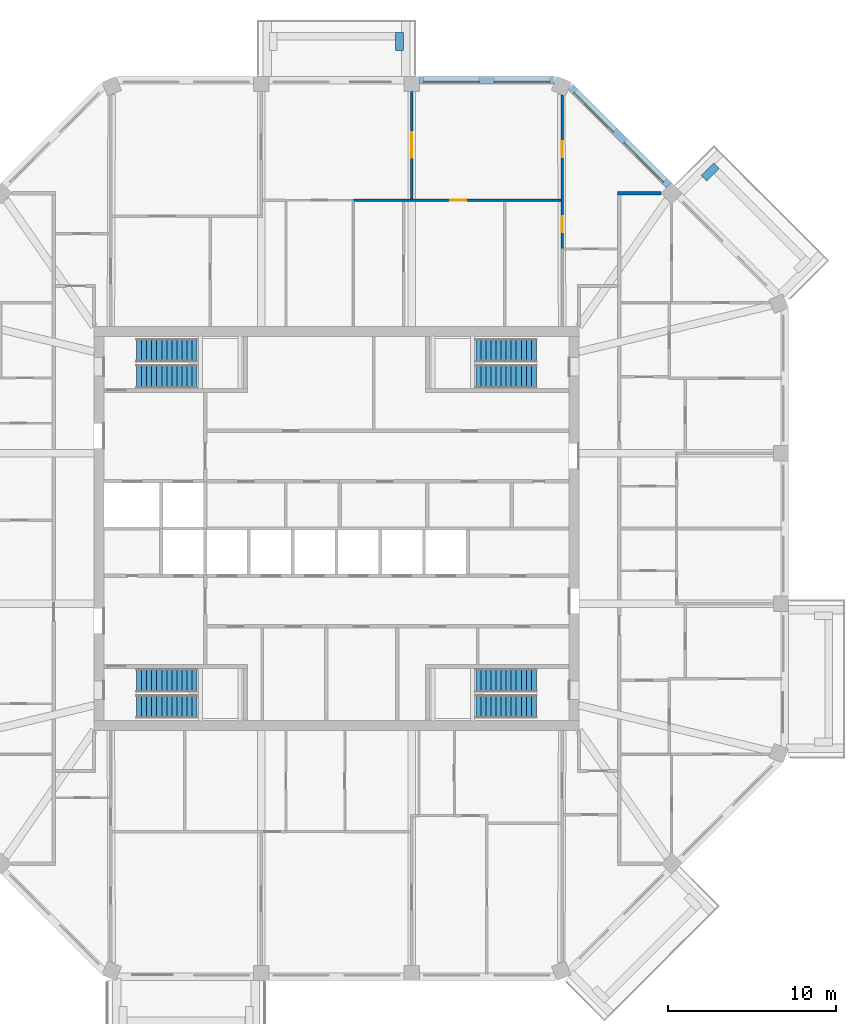
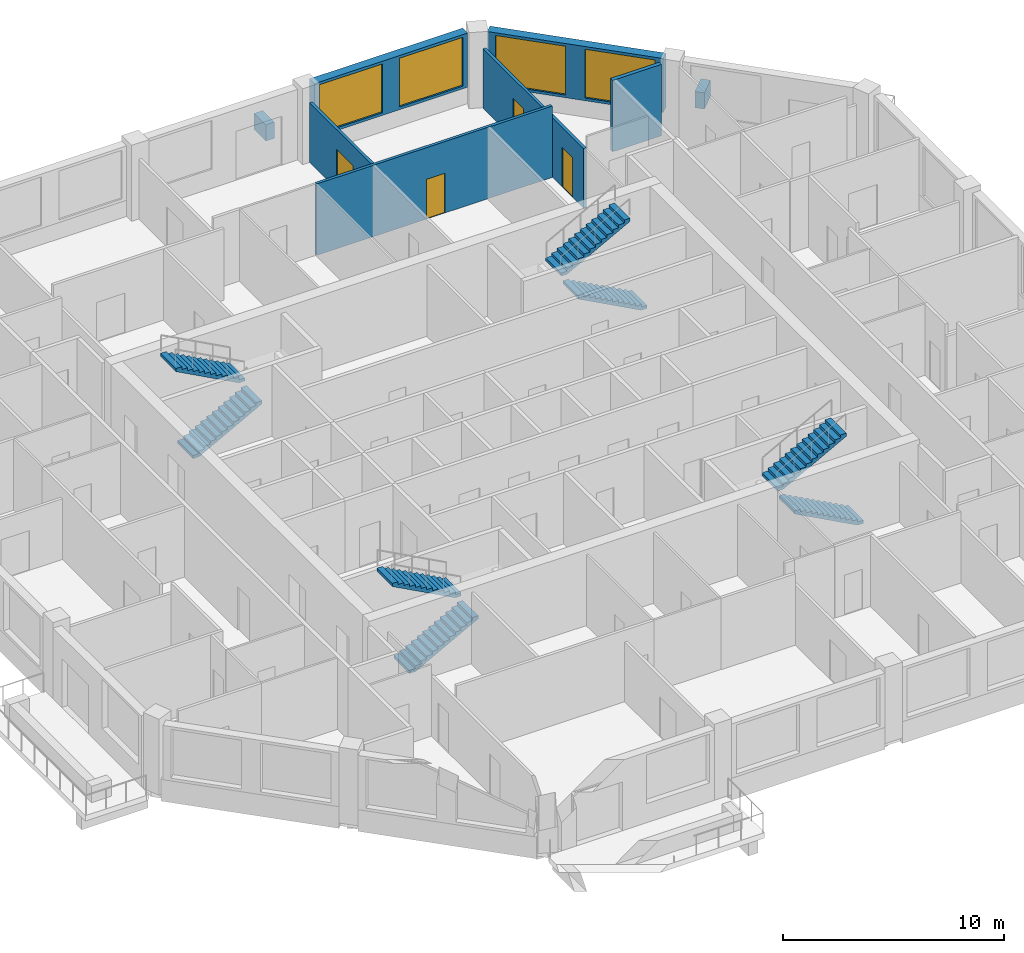
# One storey, part 10 of 11: 8 stair flights, 8 walls, 4 doors, 4 windows, 8 openings, 4 elements without a shape of their own.
"""IFC4 building model written with IfcOpenShell, lengths in metres."""

import ifcopenshell
import ifcopenshell.guid

model = None  # the IFC model being written
_history = None  # IfcOwnerHistory: only IFC2X3 demands one
_inside = {}  # id of a spatial element -> (the spatial element, [elements in it])
_under = {}  # id of a project, library or spatial element -> (it, [spatial elements below it])
_declared = {}  # id of a project -> (the project, [libraries it declares])
_typed = {}  # id of a type object -> (the type object, [elements of that type])
_made_of = {}  # id of a material, layer set ... -> (it, [elements and type objects made of it])


def new_model(schema):
    """Start an empty IFC model of exactly this schema.

    Asked for "IFC4X3", IfcOpenShell would pick the latest addendum, in which some entities
    have other attributes; the version numbers below select the first issue.
    IFC2X3 requires an IfcOwnerHistory on every rooted entity: one is made here for all.
    """
    global model, _history
    if schema == "IFC4X3":
        model = ifcopenshell.file(schema_version=(4, 3, 0, 0))
    else:
        model = ifcopenshell.file(schema=schema)
    _inside.clear()
    _under.clear()
    _declared.clear()
    _typed.clear()
    _made_of.clear()
    _history = None
    if model.schema == "IFC2X3":
        org = make("IfcOrganization", Name="unknown")
        user = make(
            "IfcPersonAndOrganization",
            ThePerson=make("IfcPerson", FamilyName="unknown"),
            TheOrganization=org,
        )
        app = make(
            "IfcApplication",
            ApplicationDeveloper=org,
            Version="unknown",
            ApplicationFullName="unknown",
            ApplicationIdentifier="unknown",
        )
        _history = make(
            "IfcOwnerHistory",
            OwningUser=user,
            OwningApplication=app,
            ChangeAction="ADDED",
            CreationDate=0,
        )
    return model


def make(cls, **values):
    """One entity of the class cls with the attributes given. An attribute that is None is left unset."""
    return model.create_entity(
        cls, **{name: value for name, value in values.items() if value is not None}
    )


def rooted(cls, **values):
    """An entity with a GlobalId (a new one), such as an element, a storey or a relation."""
    return make(cls, GlobalId=ifcopenshell.guid.new(), OwnerHistory=_history, **values)


def si_unit(unit_type, name, prefix=None):
    """IfcSIUnit, for example si_unit("LENGTHUNIT", "METRE", prefix="MILLI")."""
    return make("IfcSIUnit", UnitType=unit_type, Prefix=prefix, Name=name)


def assignment(units):
    """IfcUnitAssignment: the units of a project."""
    return None if units is None else make("IfcUnitAssignment", Units=units)


def point(xyz):
    """IfcCartesianPoint."""
    return None if xyz is None else make("IfcCartesianPoint", Coordinates=xyz)


def direction(xyz):
    """IfcDirection."""
    return None if xyz is None else make("IfcDirection", DirectionRatios=xyz)


def frame(location, z_axis=None, x_axis=None):
    """IfcAxis2Placement3D, a coordinate frame: its origin and axes. An axis left out is left unset."""
    return make(
        "IfcAxis2Placement3D",
        Location=point(location),
        Axis=direction(z_axis),
        RefDirection=direction(x_axis),
    )


def frame_2d(location, x_axis=None):
    """IfcAxis2Placement2D, a coordinate frame in the plane: its origin and x axis."""
    return make(
        "IfcAxis2Placement2D", Location=point(location), RefDirection=direction(x_axis)
    )


def origin():
    """The frame at (0, 0, 0) with its axes left unset."""
    return frame((0.0, 0.0, 0.0))


def place(relative_to, where):
    """IfcLocalPlacement: puts the frame where relative to a parent placement (None: the world)."""
    return make(
        "IfcLocalPlacement", PlacementRelTo=relative_to, RelativePlacement=where
    )


def context(
    kind, dimensions, precision=None, world=None, true_north=None, identifier=None
):
    """IfcGeometricRepresentationContext, for example the 3D "Model" context."""
    return make(
        "IfcGeometricRepresentationContext",
        ContextIdentifier=identifier,
        ContextType=kind,
        CoordinateSpaceDimension=dimensions,
        Precision=precision,
        WorldCoordinateSystem=world,
        TrueNorth=true_north,
    )


def subcontext(parent, identifier, kind, view, scale=None):
    """IfcGeometricRepresentationSubContext, for example "Body" below "Model"."""
    return make(
        "IfcGeometricRepresentationSubContext",
        ContextIdentifier=identifier,
        ContextType=kind,
        ParentContext=parent,
        TargetScale=scale,
        TargetView=view,
    )


def project(units=None, contexts=None):
    """IfcProject with its units and contexts."""
    return rooted(
        "IfcProject",
        Name="project",
        RepresentationContexts=contexts,
        UnitsInContext=assignment(units),
    )


def spatial(cls, under=None, at=None, **own):
    """A site, building, storey or space (cls), placed at a placement, below another one or the project."""
    s = rooted(cls, ObjectPlacement=at, **own)
    if under is not None:
        _under.setdefault(under.id(), (under, []))[1].append(s)
    return s


def polyline(points):
    """IfcPolyline through the points."""
    return make("IfcPolyline", Points=[point(p) for p in points])


def profile(cls, at=None, kind="AREA", **sizes):
    """A parametric profile (cls). Its sizes go by their IFC names, for example OverallWidth=200.0."""
    return make(cls, ProfileType=kind, Position=at, **sizes)


def rectangle(**sizes):
    """IfcRectangleProfileDef."""
    return profile("IfcRectangleProfileDef", **sizes)


def outline(outer, holes=None, kind="AREA"):
    """IfcArbitraryClosedProfileDef: a profile drawn as a closed curve; with holes, ...WithVoids."""
    if holes is None:
        return make("IfcArbitraryClosedProfileDef", ProfileType=kind, OuterCurve=outer)
    return make(
        "IfcArbitraryProfileDefWithVoids",
        ProfileType=kind,
        OuterCurve=outer,
        InnerCurves=holes,
    )


def extrude(swept, where, along, depth):
    """IfcExtrudedAreaSolid: the profile swept, set in the frame where, extruded along a direction by depth."""
    return make(
        "IfcExtrudedAreaSolid",
        SweptArea=swept,
        Position=where,
        ExtrudedDirection=direction(along),
        Depth=depth,
    )


def shape(context_of_items, identifier, shape_type, items):
    """IfcShapeRepresentation: the items that make up one representation, for example the "Body"."""
    return make(
        "IfcShapeRepresentation",
        ContextOfItems=context_of_items,
        RepresentationIdentifier=identifier,
        RepresentationType=shape_type,
        Items=items,
    )


def material(Name=None, Category=None):
    """IfcMaterial."""
    return make("IfcMaterial", Name=Name, Category=Category)


def layer(
    of_material, thickness, ventilated=None, Name=None, Category=None, Priority=None
):
    """IfcMaterialLayer: one layer of a wall or slab, of a material (None: an air gap)."""
    return make(
        "IfcMaterialLayer",
        Material=of_material,
        LayerThickness=thickness,
        IsVentilated=ventilated,
        Name=Name,
        Category=Category,
        Priority=Priority,
    )


def layer_set(layers, Name=None):
    """IfcMaterialLayerSet."""
    return make("IfcMaterialLayerSet", MaterialLayers=layers, LayerSetName=Name)


def made_of(thing, what):
    """Note that an element or type object is made of a material, layer set ...; save() writes the relation."""
    if what is not None:
        _made_of.setdefault(what.id(), (what, []))[1].append(thing)
    return thing


def type_object(cls, material=None, **own):
    """A type object (cls), such as IfcWallType, which elements share."""
    return made_of(rooted(cls, **own), material)


def element(
    cls,
    number,
    at=None,
    inside=None,
    cuts=None,
    type_object=None,
    material=None,
    context=None,
    identifier="Body",
    shape_type=None,
    held_by="IfcProductDefinitionShape",
    body=None,
    shapes=None,
    **own,
):
    """One element of the class cls, such as IfcWall. Its Tag is "e" and its number.

    at: its placement. inside: the storey or other place that contains it. cuts: it is an
    opening in that element (IfcRelVoidsElement). A single representation is given by context,
    identifier, shape_type and body (its items); several are given by shapes. held_by: the class
    of the entity that holds the representations. save() writes the other relations.
    """
    e = rooted(cls, Tag="e%d" % number, ObjectPlacement=at, **own)
    if body is not None:
        shapes = [shape(context, identifier, shape_type, body)]
    if shapes is not None:
        e.Representation = make(held_by, Representations=shapes)
    if inside is not None:
        _inside.setdefault(inside.id(), (inside, []))[1].append(e)
    if cuts is not None:
        rooted(
            "IfcRelVoidsElement", RelatingBuildingElement=cuts, RelatedOpeningElement=e
        )
    if type_object is not None:
        _typed.setdefault(type_object.id(), (type_object, []))[1].append(e)
    return made_of(e, material)


def fill(opening, filler):
    """IfcRelFillsElement: the door or window that sits in an opening."""
    return rooted(
        "IfcRelFillsElement",
        RelatingOpeningElement=opening,
        RelatedBuildingElement=filler,
    )


def aggregate(whole, parts):
    """IfcRelAggregates: a whole, such as a stair, and the parts it consists of."""
    return rooted("IfcRelAggregates", RelatingObject=whole, RelatedObjects=parts)


def save(model, path):
    """Write the relations noted so far, then the file.

    IfcRelAggregates (storeys below a building ...), IfcRelContainedInSpatialStructure (elements
    in a storey), IfcRelDefinesByType, IfcRelAssociatesMaterial and IfcRelDeclares: one each for
    every whole, place, type object, material and project.
    """
    for whole, parts in _under.values():
        aggregate(whole, parts)
    for where, things in _inside.values():
        rooted(
            "IfcRelContainedInSpatialStructure",
            RelatedElements=things,
            RelatingStructure=where,
        )
    for kind, things in _typed.values():
        rooted("IfcRelDefinesByType", RelatedObjects=things, RelatingType=kind)
    for what, things in _made_of.values():
        rooted("IfcRelAssociatesMaterial", RelatedObjects=things, RelatingMaterial=what)
    for by, libraries in _declared.values():
        rooted("IfcRelDeclares", RelatingContext=by, RelatedDefinitions=libraries)
    model.write(path)


model = new_model("IFC4")

# Units and contexts
model_context = context("Model", 3, precision=1e-05, world=origin(), true_north=direction((0.0, 1.0)))
body_context = subcontext(model_context, "Body", "Model", "MODEL_VIEW")
ifc_project = project(units=[si_unit("LENGTHUNIT", "METRE"), si_unit("AREAUNIT", "SQUARE_METRE"), si_unit("VOLUMEUNIT", "CUBIC_METRE"), si_unit("PLANEANGLEUNIT", "RADIAN"), si_unit("MASSUNIT", "GRAM", prefix="KILO")], contexts=[model_context])

# Site, building, storey
site_placement = place(None, origin())
site = spatial("IfcSite", under=ifc_project, at=site_placement, CompositionType="ELEMENT")
building_placement = place(site_placement, origin())
building = spatial("IfcBuilding", under=site, at=building_placement, Name="Msitu Wima Residences", CompositionType="ELEMENT")
storey_placement = place(building_placement, frame((0.0, 0.0, 260.10009765625)))
storey = spatial("IfcBuildingStorey", under=building, at=storey_placement, Name="L60", CompositionType="ELEMENT", Elevation=260.10009765625)

# Walls
ifc_material_1 = material(Name="Facing brick")
ifc_layer_1 = layer(ifc_material_1, 0.06494140625, Name="Facing brick")
ifc_material_2 = material(Name="Concrete C40/50", Category="concrete")
ifc_layer_2 = layer(ifc_material_2, 0.156005859375, Name="Concrete C40/50")
ifc_material_3 = material(Name="Waterproofing membrane")
ifc_layer_3 = layer(ifc_material_3, 0.00390625, Name="Waterproofing membrane")
ifc_material_4 = material(Name="Planting soil and planting")
ifc_layer_4 = layer(ifc_material_4, 0.22509765625, Name="Planting soil and planting")
ifc_layer_set_1 = layer_set([ifc_layer_1, ifc_layer_2, ifc_layer_3, ifc_layer_4], Name="Concrete C40/50")
wall_type_1 = type_object("IfcWallType", Name="Balcony planter PLANTER PL450", PredefinedType="USERDEFINED", material=ifc_layer_set_1)
for number, where, z_axis, x_axis, name in (
    (1, (21.829833984375, 20.804443359375, 0.0), (0.0, 0.0, 1.0), (0.707106781187, 0.707106781187, 0.0), "Balcony planter NE0 L60"),
    (2, (3.74365234375, 28.39990234375, 0.0), (0.0, 0.0, 1.0), (0.0, 1.0, 0.0), "Balcony planter N1 L60"),
):
    element("IfcWall", number, at=place(storey_placement, frame(where, z_axis=z_axis, x_axis=x_axis)), inside=storey, type_object=wall_type_1, Name=name, ObjectType="PLANTER", PredefinedType="USERDEFINED", context=body_context, shape_type="SweptSolid", body=[
        extrude(rectangle(XDim=1.050048828125, YDim=0.449951171875, at=frame_2d((0.52490234375, 0.0))), origin(), (0.0, 0.0, 1.0), 0.89990234375),
    ])

# Wall, openings, windows
ifc_material_5 = material(Name="Brick (red buff mix)", Category="masonry")
ifc_layer_5 = layer(ifc_material_5, 0.449951171875)
ifc_layer_set_2 = layer_set([ifc_layer_5], Name="Brick (red buff mix)")
wall_type_2 = type_object("IfcWallType", Name="Brick infill wall BW450", PredefinedType="SOLIDWALL", material=ifc_layer_set_2)
wall_1_placement = place(storey_placement, frame((19.743896484375, 20.380126953125, 0.89990234375), z_axis=(0.0, 0.0, 1.0), x_axis=(-0.707106781187, 0.707106781187, 0.0)))
wall_1 = element("IfcWall", 3, at=wall_1_placement, inside=storey, type_object=wall_type_2, Name="Brick infill wall L60 NE1", PredefinedType="SOLIDWALL", context=body_context, shape_type="SweptSolid", body=[
    extrude(rectangle(XDim=8.251220703125, YDim=0.449951171875, at=frame_2d((4.12548828125, 0.0))), origin(), (0.0, 0.0, 1.0), 3.0),
])
opening_1_placement = place(wall_1_placement, frame((0.37548828125, 0.0, 0.14990234375)))
opening_1 = element("IfcOpeningElement", 4, at=opening_1_placement, cuts=wall_1, Name="Opening W60-62.012", PredefinedType="OPENING", context=body_context, shape_type="SweptSolid", body=[
    extrude(rectangle(XDim=3.300048828125, YDim=2.699951171875, at=frame_2d((1.64990234375, 1.35009765625))), frame((0.0, 0.23486328125, 0.0), z_axis=(0.0, -1.0, 0.0), x_axis=(1.0, 0.0, 0.0)), (0.0, 0.0, 1.0), 0.469970703125),
])
opening_2_placement = place(wall_1_placement, frame((4.57568359375, 0.0, 0.14990234375)))
opening_2 = element("IfcOpeningElement", 5, at=opening_2_placement, cuts=wall_1, Name="Opening W60-62.013", PredefinedType="OPENING", context=body_context, shape_type="SweptSolid", body=[
    extrude(rectangle(XDim=3.300048828125, YDim=2.699951171875, at=frame_2d((1.64990234375, 1.35009765625))), frame((0.0, 0.23486328125, 0.0), z_axis=(0.0, -1.0, 0.0), x_axis=(1.0, 0.0, 0.0)), (0.0, 0.0, 1.0), 0.469970703125),
])
ifc_material_6 = material(Name="Anodised aluminium, bronze finish, clear low-emissivity double glazing", Category="aluminium")
window_type = type_object("IfcWindowType", Name="Window W3300x2700", PartitioningType="DOUBLE_PANEL_VERTICAL", PredefinedType="WINDOW", material=ifc_material_6)
window_1_placement = place(opening_1_placement, origin())
window_1 = element("IfcWindow", 6, at=window_1_placement, inside=storey, type_object=window_type, Name="Window L60 NE1.1", OverallHeight=2.699951171875, OverallWidth=3.300048828125, PartitioningType="SINGLE_PANEL", PredefinedType="WINDOW", context=body_context, shape_type="SweptSolid", body=[
    extrude(rectangle(XDim=3.300048828125, YDim=2.699951171875, at=frame_2d((1.64990234375, 1.35009765625))), frame((0.0, 0.135009765625, 0.0), z_axis=(0.0, -1.0, 0.0), x_axis=(1.0, 0.0, 0.0)), (0.0, 0.0, 1.0), 0.06005859375),
])
fill(opening_1, window_1)
window_2_placement = place(opening_2_placement, origin())
window_2 = element("IfcWindow", 7, at=window_2_placement, inside=storey, type_object=window_type, Name="Window L60 NE1.2", OverallHeight=2.699951171875, OverallWidth=3.300048828125, PartitioningType="SINGLE_PANEL", PredefinedType="WINDOW", context=body_context, shape_type="SweptSolid", body=[
    extrude(rectangle(XDim=3.300048828125, YDim=2.699951171875, at=frame_2d((1.64990234375, 1.35009765625))), frame((0.0, 0.135009765625, 0.0), z_axis=(0.0, -1.0, 0.0), x_axis=(1.0, 0.0, 0.0)), (0.0, 0.0, 1.0), 0.06005859375),
])
fill(opening_2, window_2)

wall_2_placement = place(storey_placement, frame((12.918701171875, 26.625, 0.89990234375), z_axis=(0.0, 0.0, 1.0), x_axis=(-1.0, 0.0, 0.0)))
wall_2 = element("IfcWall", 8, at=wall_2_placement, inside=storey, type_object=wall_type_2, Name="Brick infill wall L60 N0", PredefinedType="SOLIDWALL", context=body_context, shape_type="SweptSolid", body=[
    extrude(rectangle(XDim=8.0, YDim=0.449951171875, at=frame_2d((4.0, 0.0))), origin(), (0.0, 0.0, 1.0), 3.0),
])
opening_3_placement = place(wall_2_placement, frame((0.25, 0.0, 0.14990234375)))
opening_3 = element("IfcOpeningElement", 9, at=opening_3_placement, cuts=wall_2, Name="Opening W60-62.006", PredefinedType="OPENING", context=body_context, shape_type="SweptSolid", body=[
    extrude(rectangle(XDim=3.300048828125, YDim=2.699951171875, at=frame_2d((1.64990234375, 1.35009765625))), frame((0.0, 0.23486328125, 0.0), z_axis=(0.0, -1.0, 0.0), x_axis=(1.0, 0.0, 0.0)), (0.0, 0.0, 1.0), 0.469970703125),
])
opening_4_placement = place(wall_2_placement, frame((4.4501953125, 0.0, 0.14990234375)))
opening_4 = element("IfcOpeningElement", 10, at=opening_4_placement, cuts=wall_2, Name="Opening W60-62.007", PredefinedType="OPENING", context=body_context, shape_type="SweptSolid", body=[
    extrude(rectangle(XDim=3.300048828125, YDim=2.699951171875, at=frame_2d((1.64990234375, 1.35009765625))), frame((0.0, 0.23486328125, 0.0), z_axis=(0.0, -1.0, 0.0), x_axis=(1.0, 0.0, 0.0)), (0.0, 0.0, 1.0), 0.469970703125),
])
window_3_placement = place(opening_3_placement, origin())
window_3 = element("IfcWindow", 11, at=window_3_placement, inside=storey, type_object=window_type, Name="Window L60 N0.1", OverallHeight=2.699951171875, OverallWidth=3.300048828125, PartitioningType="SINGLE_PANEL", PredefinedType="WINDOW", context=body_context, shape_type="SweptSolid", body=[
    extrude(rectangle(XDim=3.300048828125, YDim=2.699951171875, at=frame_2d((1.64990234375, 1.35009765625))), frame((0.0, 0.135009765625, 0.0), z_axis=(0.0, -1.0, 0.0), x_axis=(1.0, 0.0, 0.0)), (0.0, 0.0, 1.0), 0.06005859375),
])
fill(opening_3, window_3)
window_4_placement = place(opening_4_placement, origin())
window_4 = element("IfcWindow", 12, at=window_4_placement, inside=storey, type_object=window_type, Name="Window L60 N0.2", OverallHeight=2.699951171875, OverallWidth=3.300048828125, PartitioningType="SINGLE_PANEL", PredefinedType="WINDOW", context=body_context, shape_type="SweptSolid", body=[
    extrude(rectangle(XDim=3.300048828125, YDim=2.699951171875, at=frame_2d((1.64990234375, 1.35009765625))), frame((0.0, 0.135009765625, 0.0), z_axis=(0.0, -1.0, 0.0), x_axis=(1.0, 0.0, 0.0)), (0.0, 0.0, 1.0), 0.06005859375),
])
fill(opening_4, window_4)

# Wall, opening, door
ifc_material_7 = material(Name="Plaster")
ifc_layer_6 = layer(ifc_material_7, 0.011962890625, Name="Plaster")
ifc_material_8 = material(Name="Concrete blockwork", Category="masonry")
ifc_layer_7 = layer(ifc_material_8, 0.1259765625, Name="Concrete blockwork")
ifc_layer_8 = layer(ifc_material_7, 0.011962890625, Name="Plaster")
ifc_layer_set_3 = layer_set([ifc_layer_6, ifc_layer_7, ifc_layer_8], Name="Concrete blockwork")
wall_type_3 = type_object("IfcWallType", Name="Partition PW150", PredefinedType="PARTITIONING", material=ifc_layer_set_3)
wall_3_placement = place(storey_placement, frame((1.0, 19.5, 0.0), z_axis=(0.0, 0.0, 1.0), x_axis=(1.0, 0.0, 0.0)))
wall_3 = element("IfcWall", 13, at=wall_3_placement, inside=storey, type_object=wall_type_3, Name="Partition", PredefinedType="PARTITIONING", context=body_context, shape_type="SweptSolid", body=[
    extrude(rectangle(XDim=12.330810546875, YDim=0.14990234375, at=frame_2d((6.16552734375, 0.0))), origin(), (0.0, 0.0, 1.0), 3.949951171875),
])
opening_5_placement = place(wall_3_placement, frame((5.75, 0.0, 0.0)))
opening_5 = element("IfcOpeningElement", 14, at=opening_5_placement, cuts=wall_3, Name="Opening D60-62.028", PredefinedType="OPENING", context=body_context, shape_type="SweptSolid", body=[
    extrude(rectangle(XDim=0.949951171875, YDim=2.199951171875, at=frame_2d((0.47509765625, 1.10009765625))), frame((0.0, 0.0849609375, 0.0), z_axis=(0.0, -1.0, 0.0), x_axis=(1.0, 0.0, 0.0)), (0.0, 0.0, 1.0), 0.169921875),
])
ifc_material_9 = material(Name="Timber flush door", Category="wood")
door_type_1 = type_object("IfcDoorType", Name="Room door D12 950x2200", OperationType="SINGLE_SWING_LEFT", PredefinedType="DOOR", material=ifc_material_9)
door_1_placement = place(opening_5_placement, origin())
door_1 = element("IfcDoor", 15, at=door_1_placement, inside=storey, type_object=door_type_1, Name="Room door", OperationType="SINGLE_SWING_LEFT", OverallHeight=2.199951171875, OverallWidth=0.949951171875, PredefinedType="DOOR", context=body_context, shape_type="SweptSolid", body=[
    extrude(rectangle(XDim=0.949951171875, YDim=2.199951171875, at=frame_2d((0.47509765625, 1.10009765625))), frame((0.0, 0.02490234375, 0.0), z_axis=(0.0, -1.0, 0.0), x_axis=(1.0, 0.0, 0.0)), (0.0, 0.0, 1.0), 0.050048828125),
])
fill(opening_5, door_1)

wall_4_placement = place(storey_placement, frame((4.46875, 19.574951171875, 0.0), z_axis=(0.0, 0.0, 1.0), x_axis=(0.0, 1.0, 0.0)))
wall_4 = element("IfcWall", 16, at=wall_4_placement, inside=storey, type_object=wall_type_3, Name="Partition", PredefinedType="PARTITIONING", context=body_context, shape_type="SweptSolid", body=[
    extrude(rectangle(XDim=6.375, YDim=0.14990234375, at=frame_2d((3.1875, 0.0))), origin(), (0.0, 0.0, 1.0), 3.2998046875),
])
opening_6_placement = place(wall_4_placement, frame((2.449951171875, 0.0, 0.0)))
opening_6 = element("IfcOpeningElement", 17, at=opening_6_placement, cuts=wall_4, Name="Opening D60-62.036", PredefinedType="OPENING", context=body_context, shape_type="SweptSolid", body=[
    extrude(rectangle(XDim=1.5, YDim=2.199951171875, at=frame_2d((0.75, 1.10009765625))), frame((0.0, 0.0849609375, 0.0), z_axis=(0.0, -1.0, 0.0), x_axis=(1.0, 0.0, 0.0)), (0.0, 0.0, 1.0), 0.169921875),
])
ifc_material_10 = material(Name="Timber double door", Category="wood")
door_type_2 = type_object("IfcDoorType", Name="Double door D04 1500x2200", OperationType="DOUBLE_DOOR_SINGLE_SWING", PredefinedType="DOOR", material=ifc_material_10)
door_2_placement = place(opening_6_placement, origin())
door_2 = element("IfcDoor", 18, at=door_2_placement, inside=storey, type_object=door_type_2, Name="Double door", OperationType="DOUBLE_DOOR_SINGLE_SWING", OverallHeight=2.199951171875, OverallWidth=1.5, PredefinedType="DOOR", context=body_context, shape_type="SweptSolid", body=[
    extrude(rectangle(XDim=1.5, YDim=2.199951171875, at=frame_2d((0.75, 1.10009765625))), frame((0.0, 0.02490234375, 0.0), z_axis=(0.0, -1.0, 0.0), x_axis=(1.0, 0.0, 0.0)), (0.0, 0.0, 1.0), 0.050048828125),
])
fill(opening_6, door_2)

# Wall, openings, doors
wall_5_placement = place(storey_placement, frame((13.406005859375, 16.60009765625, 0.0), z_axis=(0.0, 0.0, 1.0), x_axis=(0.0, 1.0, 0.0)))
wall_5 = element("IfcWall", 19, at=wall_5_placement, inside=storey, type_object=wall_type_3, Name="Partition", PredefinedType="PARTITIONING", context=body_context, shape_type="SweptSolid", body=[
    extrude(rectangle(XDim=9.131103515625, YDim=0.14990234375, at=frame_2d((4.5654296875, 0.0))), origin(), (0.0, 0.0, 1.0), 3.2998046875),
])
opening_7_placement = place(wall_5_placement, frame((5.449951171875, 0.0, 0.0)))
opening_7 = element("IfcOpeningElement", 20, at=opening_7_placement, cuts=wall_5, Name="Opening D60-62.037", PredefinedType="OPENING", context=body_context, shape_type="SweptSolid", body=[
    extrude(rectangle(XDim=0.949951171875, YDim=2.199951171875, at=frame_2d((0.47509765625, 1.10009765625))), frame((0.0, 0.0849609375, 0.0), z_axis=(0.0, -1.0, 0.0), x_axis=(1.0, 0.0, 0.0)), (0.0, 0.0, 1.0), 0.169921875),
])
opening_8_placement = place(wall_5_placement, frame((1.0, 0.0, 0.0)))
opening_8 = element("IfcOpeningElement", 21, at=opening_8_placement, cuts=wall_5, Name="Opening D60-62.038", PredefinedType="OPENING", context=body_context, shape_type="SweptSolid", body=[
    extrude(rectangle(XDim=0.949951171875, YDim=2.199951171875, at=frame_2d((0.47509765625, 1.10009765625))), frame((0.0, 0.0849609375, 0.0), z_axis=(0.0, -1.0, 0.0), x_axis=(1.0, 0.0, 0.0)), (0.0, 0.0, 1.0), 0.169921875),
])
door_3_placement = place(opening_7_placement, origin())
door_3 = element("IfcDoor", 22, at=door_3_placement, inside=storey, type_object=door_type_1, Name="Room door", OperationType="SINGLE_SWING_LEFT", OverallHeight=2.199951171875, OverallWidth=0.949951171875, PredefinedType="DOOR", context=body_context, shape_type="SweptSolid", body=[
    extrude(rectangle(XDim=0.949951171875, YDim=2.199951171875, at=frame_2d((0.47509765625, 1.10009765625))), frame((0.0, 0.02490234375, 0.0), z_axis=(0.0, -1.0, 0.0), x_axis=(1.0, 0.0, 0.0)), (0.0, 0.0, 1.0), 0.050048828125),
])
fill(opening_7, door_3)
door_4_placement = place(opening_8_placement, origin())
door_4 = element("IfcDoor", 23, at=door_4_placement, inside=storey, type_object=door_type_1, Name="Room door", OperationType="SINGLE_SWING_RIGHT", OverallHeight=2.199951171875, OverallWidth=0.949951171875, PredefinedType="DOOR", context=body_context, shape_type="SweptSolid", body=[
    extrude(rectangle(XDim=0.949951171875, YDim=2.199951171875, at=frame_2d((0.47509765625, 1.10009765625))), frame((0.0, 0.02490234375, 0.0), z_axis=(0.0, -1.0, 0.0), x_axis=(1.0, 0.0, 0.0)), (0.0, 0.0, 1.0), 0.050048828125),
])
fill(opening_8, door_4)

# Wall
ifc_layer_9 = layer(ifc_material_7, 0.011962890625, Name="Plaster")
ifc_material_11 = material(Name="Dense concrete blockwork", Category="masonry")
ifc_layer_10 = layer(ifc_material_11, 0.176025390625, Name="Dense concrete blockwork")
ifc_layer_11 = layer(ifc_material_7, 0.011962890625, Name="Plaster")
ifc_layer_set_4 = layer_set([ifc_layer_9, ifc_layer_10, ifc_layer_11], Name="Dense concrete blockwork")
wall_type_4 = type_object("IfcWallType", Name="Party wall PW200", PredefinedType="PARTITIONING", material=ifc_layer_set_4)
wall_6_placement = place(storey_placement, frame((16.699951171875, 19.90283203125, 0.0), z_axis=(0.0, 0.0, 1.0), x_axis=(1.0, 0.0, 0.0)))
element("IfcWall", 24, at=wall_6_placement, inside=storey, type_object=wall_type_4, Name="Party wall", PredefinedType="PARTITIONING", context=body_context, shape_type="SweptSolid", body=[
    extrude(rectangle(XDim=2.566650390625, YDim=0.199951171875, at=frame_2d((1.283203125, 0.0))), origin(), (0.0, 0.0, 1.0), 3.949951171875),
])

# Stair, stair flights
stair_type = type_object("IfcStairType", Name="Exit stair ES1615-140", PredefinedType="HALF_TURN_STAIR", material=ifc_material_2)
stair_1_placement = place(storey_placement, origin())
stair_1 = element("IfcStair", 25, at=stair_1_placement, inside=storey, type_object=stair_type, Name="Exit stair 1", PredefinedType="HALF_TURN_STAIR")
stair_flight_type = type_object("IfcStairFlightType", Name="Exit stair flight ES1615-140", PredefinedType="STRAIGHT", material=ifc_material_2)
stair_flight_1_placement = place(storey_placement, frame((-11.875, 9.02490234375, 0.0), z_axis=(0.0, 0.0, 1.0), x_axis=(1.0, 0.0, 0.0)))
stair_flight_1 = element("IfcStairFlight", 26, at=stair_flight_1_placement, type_object=stair_flight_type, Name="S1 flight 1", NumberOfRisers=13, NumberOfTreads=12, PredefinedType="STRAIGHT", RiserHeight=0.161538462, TreadLength=0.3, context=body_context, shape_type="SweptSolid", body=[
    extrude(outline(polyline([(0.0, 0.0), (0.0, 0.16162109375), (0.300048828125, 0.16162109375), (0.300048828125, 0.322998046875), (0.60009765625, 0.322998046875), (0.60009765625, 0.484619140625), (0.89990234375, 0.484619140625), (0.89990234375, 0.646240234375), (1.199951171875, 0.646240234375), (1.199951171875, 0.8076171875), (1.5, 0.8076171875), (1.5, 0.96923828125), (1.800048828125, 0.96923828125), (1.800048828125, 1.130859375), (2.10009765625, 1.130859375), (2.10009765625, 1.292236328125), (2.39990234375, 1.292236328125), (2.39990234375, 1.453857421875), (2.699951171875, 1.453857421875), (2.699951171875, 1.615478515625), (3.0, 1.615478515625), (3.0, 1.77685546875), (3.300048828125, 1.77685546875), (3.300048828125, 1.9384765625), (3.60009765625, 1.9384765625), (3.60009765625, 2.10009765625), (3.60009765625, 1.768310546875), (0.316162109375, 0.0), (0.0, 0.0)])), frame((0.0, 0.699951171875, 0.0), z_axis=(0.0, -1.0, 0.0), x_axis=(1.0, 0.0, 0.0)), (0.0, 0.0, 1.0), 1.39990234375),
])
stair_flight_2_placement = place(storey_placement, frame((-8.27490234375, 10.574951171875, 2.099853515625), z_axis=(0.0, 0.0, 1.0), x_axis=(-1.0, 0.0, 0.0)))
stair_flight_2 = element("IfcStairFlight", 27, at=stair_flight_2_placement, type_object=stair_flight_type, Name="S1 flight 2", NumberOfRisers=13, NumberOfTreads=12, PredefinedType="STRAIGHT", RiserHeight=0.161538462, TreadLength=0.3, context=body_context, shape_type="SweptSolid", body=[
    extrude(outline(polyline([(0.0, 0.0), (0.0, 0.16162109375), (0.300048828125, 0.16162109375), (0.300048828125, 0.322998046875), (0.60009765625, 0.322998046875), (0.60009765625, 0.484619140625), (0.89990234375, 0.484619140625), (0.89990234375, 0.646240234375), (1.199951171875, 0.646240234375), (1.199951171875, 0.8076171875), (1.5, 0.8076171875), (1.5, 0.96923828125), (1.800048828125, 0.96923828125), (1.800048828125, 1.130859375), (2.10009765625, 1.130859375), (2.10009765625, 1.292236328125), (2.39990234375, 1.292236328125), (2.39990234375, 1.453857421875), (2.699951171875, 1.453857421875), (2.699951171875, 1.615478515625), (3.0, 1.615478515625), (3.0, 1.77685546875), (3.300048828125, 1.77685546875), (3.300048828125, 1.9384765625), (3.60009765625, 1.9384765625), (3.60009765625, 2.10009765625), (3.60009765625, 1.768310546875), (0.316162109375, 0.0), (0.0, 0.0)])), frame((0.0, 0.699951171875, 0.0), z_axis=(0.0, -1.0, 0.0), x_axis=(1.0, 0.0, 0.0)), (0.0, 0.0, 1.0), 1.39990234375),
])
aggregate(stair_1, [stair_flight_1, stair_flight_2])

stair_2_placement = place(storey_placement, origin())
stair_2 = element("IfcStair", 28, at=stair_2_placement, inside=storey, type_object=stair_type, Name="Exit stair 2", PredefinedType="HALF_TURN_STAIR")
stair_flight_3_placement = place(storey_placement, frame((-11.875, -10.574951171875, 0.0), z_axis=(0.0, 0.0, 1.0), x_axis=(1.0, 0.0, 0.0)))
stair_flight_3 = element("IfcStairFlight", 29, at=stair_flight_3_placement, type_object=stair_flight_type, Name="S2 flight 1", NumberOfRisers=13, NumberOfTreads=12, PredefinedType="STRAIGHT", RiserHeight=0.161538462, TreadLength=0.3, context=body_context, shape_type="SweptSolid", body=[
    extrude(outline(polyline([(0.0, 0.0), (0.0, 0.16162109375), (0.300048828125, 0.16162109375), (0.300048828125, 0.322998046875), (0.60009765625, 0.322998046875), (0.60009765625, 0.484619140625), (0.89990234375, 0.484619140625), (0.89990234375, 0.646240234375), (1.199951171875, 0.646240234375), (1.199951171875, 0.8076171875), (1.5, 0.8076171875), (1.5, 0.96923828125), (1.800048828125, 0.96923828125), (1.800048828125, 1.130859375), (2.10009765625, 1.130859375), (2.10009765625, 1.292236328125), (2.39990234375, 1.292236328125), (2.39990234375, 1.453857421875), (2.699951171875, 1.453857421875), (2.699951171875, 1.615478515625), (3.0, 1.615478515625), (3.0, 1.77685546875), (3.300048828125, 1.77685546875), (3.300048828125, 1.9384765625), (3.60009765625, 1.9384765625), (3.60009765625, 2.10009765625), (3.60009765625, 1.768310546875), (0.316162109375, 0.0), (0.0, 0.0)])), frame((0.0, 0.699951171875, 0.0), z_axis=(0.0, -1.0, 0.0), x_axis=(1.0, 0.0, 0.0)), (0.0, 0.0, 1.0), 1.39990234375),
])
stair_flight_4_placement = place(storey_placement, frame((-8.27490234375, -9.02490234375, 2.099853515625), z_axis=(0.0, 0.0, 1.0), x_axis=(-1.0, 0.0, 0.0)))
stair_flight_4 = element("IfcStairFlight", 30, at=stair_flight_4_placement, type_object=stair_flight_type, Name="S2 flight 2", NumberOfRisers=13, NumberOfTreads=12, PredefinedType="STRAIGHT", RiserHeight=0.161538462, TreadLength=0.3, context=body_context, shape_type="SweptSolid", body=[
    extrude(outline(polyline([(0.0, 0.0), (0.0, 0.16162109375), (0.300048828125, 0.16162109375), (0.300048828125, 0.322998046875), (0.60009765625, 0.322998046875), (0.60009765625, 0.484619140625), (0.89990234375, 0.484619140625), (0.89990234375, 0.646240234375), (1.199951171875, 0.646240234375), (1.199951171875, 0.8076171875), (1.5, 0.8076171875), (1.5, 0.96923828125), (1.800048828125, 0.96923828125), (1.800048828125, 1.130859375), (2.10009765625, 1.130859375), (2.10009765625, 1.292236328125), (2.39990234375, 1.292236328125), (2.39990234375, 1.453857421875), (2.699951171875, 1.453857421875), (2.699951171875, 1.615478515625), (3.0, 1.615478515625), (3.0, 1.77685546875), (3.300048828125, 1.77685546875), (3.300048828125, 1.9384765625), (3.60009765625, 1.9384765625), (3.60009765625, 2.10009765625), (3.60009765625, 1.768310546875), (0.316162109375, 0.0), (0.0, 0.0)])), frame((0.0, 0.699951171875, 0.0), z_axis=(0.0, -1.0, 0.0), x_axis=(1.0, 0.0, 0.0)), (0.0, 0.0, 1.0), 1.39990234375),
])
aggregate(stair_2, [stair_flight_3, stair_flight_4])

stair_3_placement = place(storey_placement, origin())
stair_3 = element("IfcStair", 31, at=stair_3_placement, inside=storey, type_object=stair_type, Name="Exit stair 3", PredefinedType="HALF_TURN_STAIR")
stair_flight_5_placement = place(storey_placement, frame((11.875, 9.02490234375, 0.0), z_axis=(0.0, 0.0, 1.0), x_axis=(-1.0, 0.0, 0.0)))
stair_flight_5 = element("IfcStairFlight", 32, at=stair_flight_5_placement, type_object=stair_flight_type, Name="S3 flight 1", NumberOfRisers=13, NumberOfTreads=12, PredefinedType="STRAIGHT", RiserHeight=0.161538462, TreadLength=0.3, context=body_context, shape_type="SweptSolid", body=[
    extrude(outline(polyline([(0.0, 0.0), (0.0, 0.16162109375), (0.300048828125, 0.16162109375), (0.300048828125, 0.322998046875), (0.60009765625, 0.322998046875), (0.60009765625, 0.484619140625), (0.89990234375, 0.484619140625), (0.89990234375, 0.646240234375), (1.199951171875, 0.646240234375), (1.199951171875, 0.8076171875), (1.5, 0.8076171875), (1.5, 0.96923828125), (1.800048828125, 0.96923828125), (1.800048828125, 1.130859375), (2.10009765625, 1.130859375), (2.10009765625, 1.292236328125), (2.39990234375, 1.292236328125), (2.39990234375, 1.453857421875), (2.699951171875, 1.453857421875), (2.699951171875, 1.615478515625), (3.0, 1.615478515625), (3.0, 1.77685546875), (3.300048828125, 1.77685546875), (3.300048828125, 1.9384765625), (3.60009765625, 1.9384765625), (3.60009765625, 2.10009765625), (3.60009765625, 1.768310546875), (0.316162109375, 0.0), (0.0, 0.0)])), frame((0.0, 0.699951171875, 0.0), z_axis=(0.0, -1.0, 0.0), x_axis=(1.0, 0.0, 0.0)), (0.0, 0.0, 1.0), 1.39990234375),
])
stair_flight_6_placement = place(storey_placement, frame((8.27490234375, 10.574951171875, 2.099853515625), z_axis=(0.0, 0.0, 1.0), x_axis=(1.0, 0.0, 0.0)))
stair_flight_6 = element("IfcStairFlight", 33, at=stair_flight_6_placement, type_object=stair_flight_type, Name="S3 flight 2", NumberOfRisers=13, NumberOfTreads=12, PredefinedType="STRAIGHT", RiserHeight=0.161538462, TreadLength=0.3, context=body_context, shape_type="SweptSolid", body=[
    extrude(outline(polyline([(0.0, 0.0), (0.0, 0.16162109375), (0.300048828125, 0.16162109375), (0.300048828125, 0.322998046875), (0.60009765625, 0.322998046875), (0.60009765625, 0.484619140625), (0.89990234375, 0.484619140625), (0.89990234375, 0.646240234375), (1.199951171875, 0.646240234375), (1.199951171875, 0.8076171875), (1.5, 0.8076171875), (1.5, 0.96923828125), (1.800048828125, 0.96923828125), (1.800048828125, 1.130859375), (2.10009765625, 1.130859375), (2.10009765625, 1.292236328125), (2.39990234375, 1.292236328125), (2.39990234375, 1.453857421875), (2.699951171875, 1.453857421875), (2.699951171875, 1.615478515625), (3.0, 1.615478515625), (3.0, 1.77685546875), (3.300048828125, 1.77685546875), (3.300048828125, 1.9384765625), (3.60009765625, 1.9384765625), (3.60009765625, 2.10009765625), (3.60009765625, 1.768310546875), (0.316162109375, 0.0), (0.0, 0.0)])), frame((0.0, 0.699951171875, 0.0), z_axis=(0.0, -1.0, 0.0), x_axis=(1.0, 0.0, 0.0)), (0.0, 0.0, 1.0), 1.39990234375),
])
aggregate(stair_3, [stair_flight_5, stair_flight_6])

stair_4_placement = place(storey_placement, origin())
stair_4 = element("IfcStair", 34, at=stair_4_placement, inside=storey, type_object=stair_type, Name="Exit stair 4", PredefinedType="HALF_TURN_STAIR")
stair_flight_7_placement = place(storey_placement, frame((11.875, -10.574951171875, 0.0), z_axis=(0.0, 0.0, 1.0), x_axis=(-1.0, 0.0, 0.0)))
stair_flight_7 = element("IfcStairFlight", 35, at=stair_flight_7_placement, type_object=stair_flight_type, Name="S4 flight 1", NumberOfRisers=13, NumberOfTreads=12, PredefinedType="STRAIGHT", RiserHeight=0.161538462, TreadLength=0.3, context=body_context, shape_type="SweptSolid", body=[
    extrude(outline(polyline([(0.0, 0.0), (0.0, 0.16162109375), (0.300048828125, 0.16162109375), (0.300048828125, 0.322998046875), (0.60009765625, 0.322998046875), (0.60009765625, 0.484619140625), (0.89990234375, 0.484619140625), (0.89990234375, 0.646240234375), (1.199951171875, 0.646240234375), (1.199951171875, 0.8076171875), (1.5, 0.8076171875), (1.5, 0.96923828125), (1.800048828125, 0.96923828125), (1.800048828125, 1.130859375), (2.10009765625, 1.130859375), (2.10009765625, 1.292236328125), (2.39990234375, 1.292236328125), (2.39990234375, 1.453857421875), (2.699951171875, 1.453857421875), (2.699951171875, 1.615478515625), (3.0, 1.615478515625), (3.0, 1.77685546875), (3.300048828125, 1.77685546875), (3.300048828125, 1.9384765625), (3.60009765625, 1.9384765625), (3.60009765625, 2.10009765625), (3.60009765625, 1.768310546875), (0.316162109375, 0.0), (0.0, 0.0)])), frame((0.0, 0.699951171875, 0.0), z_axis=(0.0, -1.0, 0.0), x_axis=(1.0, 0.0, 0.0)), (0.0, 0.0, 1.0), 1.39990234375),
])
stair_flight_8_placement = place(storey_placement, frame((8.27490234375, -9.02490234375, 2.099853515625), z_axis=(0.0, 0.0, 1.0), x_axis=(1.0, 0.0, 0.0)))
stair_flight_8 = element("IfcStairFlight", 36, at=stair_flight_8_placement, type_object=stair_flight_type, Name="S4 flight 2", NumberOfRisers=13, NumberOfTreads=12, PredefinedType="STRAIGHT", RiserHeight=0.161538462, TreadLength=0.3, context=body_context, shape_type="SweptSolid", body=[
    extrude(outline(polyline([(0.0, 0.0), (0.0, 0.16162109375), (0.300048828125, 0.16162109375), (0.300048828125, 0.322998046875), (0.60009765625, 0.322998046875), (0.60009765625, 0.484619140625), (0.89990234375, 0.484619140625), (0.89990234375, 0.646240234375), (1.199951171875, 0.646240234375), (1.199951171875, 0.8076171875), (1.5, 0.8076171875), (1.5, 0.96923828125), (1.800048828125, 0.96923828125), (1.800048828125, 1.130859375), (2.10009765625, 1.130859375), (2.10009765625, 1.292236328125), (2.39990234375, 1.292236328125), (2.39990234375, 1.453857421875), (2.699951171875, 1.453857421875), (2.699951171875, 1.615478515625), (3.0, 1.615478515625), (3.0, 1.77685546875), (3.300048828125, 1.77685546875), (3.300048828125, 1.9384765625), (3.60009765625, 1.9384765625), (3.60009765625, 2.10009765625), (3.60009765625, 1.768310546875), (0.316162109375, 0.0), (0.0, 0.0)])), frame((0.0, 0.699951171875, 0.0), z_axis=(0.0, -1.0, 0.0), x_axis=(1.0, 0.0, 0.0)), (0.0, 0.0, 1.0), 1.39990234375),
])
aggregate(stair_4, [stair_flight_7, stair_flight_8])

save(model, "model.ifc")
